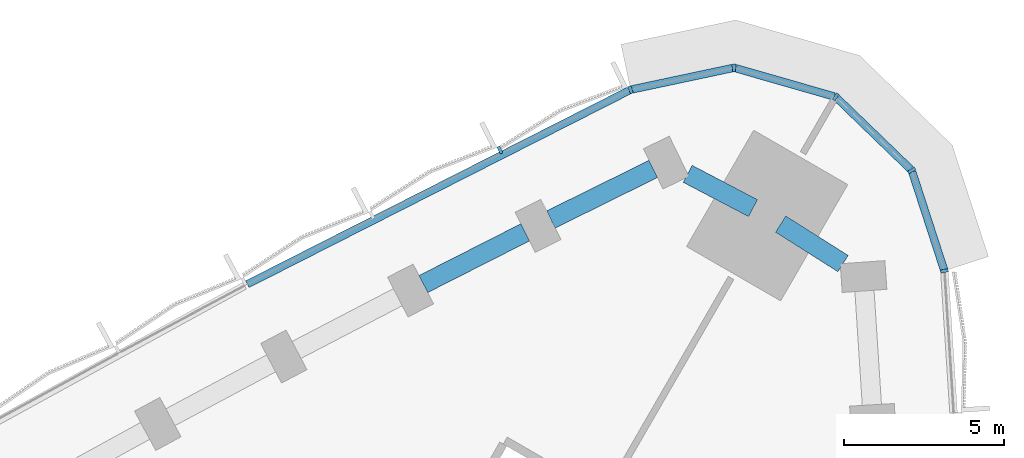
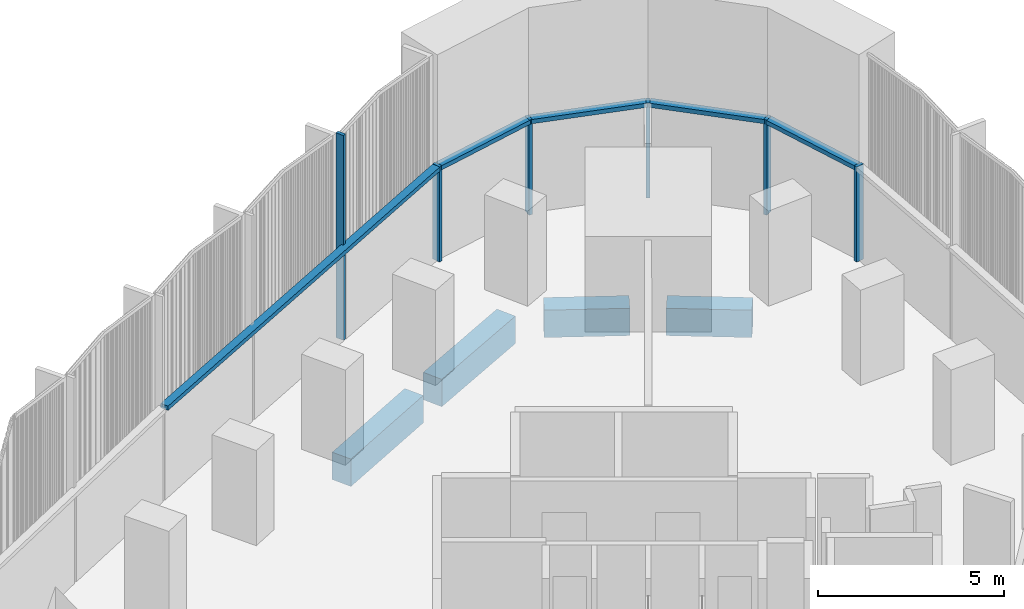
# One storey, part 7 of 16: 11 members, 4 beams, 2 elements without a shape of their own.
"""IFC4 building model written with IfcOpenShell, lengths in metres."""

from ifc_helpers import new_model, si_unit, direction, frame, origin, origin_2d, place, context, subcontext, project, spatial, rectangle, extrude, material, material_profile, profile_set, type_object, element, aggregate, save


model = new_model("IFC4")

# Units and contexts
model_context = context("Model", 3, precision=1e-05, world=origin(), true_north=direction((0.0, 1.0)))
body_context = subcontext(model_context, "Body", "Model", "MODEL_VIEW")
ifc_project = project(units=[si_unit("LENGTHUNIT", "METRE"), si_unit("AREAUNIT", "SQUARE_METRE"), si_unit("VOLUMEUNIT", "CUBIC_METRE"), si_unit("PLANEANGLEUNIT", "RADIAN"), si_unit("MASSUNIT", "GRAM", prefix="KILO")], contexts=[model_context])

# Site, building, storey
site_placement = place(None, origin())
site = spatial("IfcSite", under=ifc_project, at=site_placement, CompositionType="ELEMENT")
building_placement = place(site_placement, origin())
building = spatial("IfcBuilding", under=site, at=building_placement, Name="Tamra Quay Hotel Tower", CompositionType="ELEMENT")
storey_placement = place(building_placement, frame((0.0, 0.0, 45.800048828125)))
storey = spatial("IfcBuildingStorey", under=building, at=storey_placement, Name="L09", CompositionType="ELEMENT", Elevation=45.800048828125)

# Curtain wall, members
ifc_material_1 = material(Name="Aluminium 6063 anodised dark grey", Category="aluminium")
curtain_wall_type_1 = type_object("IfcCurtainWallType", Name="CW1 CURTAIN WALL", PredefinedType="NOTDEFINED", material=ifc_material_1)
curtain_wall_1_placement = place(storey_placement, origin())
curtain_wall_1 = element("IfcCurtainWall", 1, at=curtain_wall_1_placement, inside=storey, type_object=curtain_wall_type_1, Name="CW1 east face L09", PredefinedType="NOTDEFINED")
ifc_material_profile_1 = material_profile(ifc_material_1, rectangle(XDim=0.239990234375, YDim=0.10009765625, at=origin_2d()), Name="MULLION 100X240")
ifc_profile_set_1 = profile_set([ifc_material_profile_1], Name="Aluminium 6063 anodised dark grey")
member_type_1 = type_object("IfcMemberType", Name="MULLION CW1 Z1", PredefinedType="MULLION", material=ifc_profile_set_1)
member_1_placement = place(storey_placement, frame((23.40869140625, 29.2109375, 0.0), z_axis=(0.0, 0.0, 1.0), x_axis=(0.982094529733, 0.188388785943, 0.0)))
member_1 = element("IfcMember", 2, at=member_1_placement, type_object=member_type_1, Name="CW1 mullion L09.E.14", PredefinedType="MULLION", context=body_context, shape_type="SweptSolid", body=[
    extrude(rectangle(XDim=0.239990234375, YDim=0.10009765625, at=origin_2d()), origin(), (0.0, 0.0, 1.0), 3.125),
])
member_2_placement = place(storey_placement, frame((22.386474609375, 32.356201171875, 0.0), z_axis=(0.0, 0.0, 1.0), x_axis=(0.848039345356, 0.529933268183, 0.0)))
member_2 = element("IfcMember", 3, at=member_2_placement, type_object=member_type_1, Name="CW1 mullion L09.E.15", PredefinedType="MULLION", context=body_context, shape_type="SweptSolid", body=[
    extrude(rectangle(XDim=0.239990234375, YDim=0.10009765625, at=origin_2d()), origin(), (0.0, 0.0, 1.0), 3.125),
])
member_3_placement = place(storey_placement, frame((20.00732421875, 34.65380859375, 0.0), z_axis=(0.0, 0.0, 1.0), x_axis=(0.5, 0.866025403784, 0.0)))
member_3 = element("IfcMember", 4, at=member_3_placement, type_object=member_type_1, Name="CW1 mullion L09.E.16", PredefinedType="MULLION", context=body_context, shape_type="SweptSolid", body=[
    extrude(rectangle(XDim=0.239990234375, YDim=0.10009765625, at=origin_2d()), origin(), (0.0, 0.0, 1.0), 3.125),
])
member_4_placement = place(storey_placement, frame((16.828125, 35.5654296875, 0.0), z_axis=(0.0, 0.0, 1.0), x_axis=(0.034915999879, 0.999390250579, 0.0)))
member_4 = element("IfcMember", 5, at=member_4_placement, type_object=member_type_1, Name="CW1 mullion L09.E.17", PredefinedType="MULLION", context=body_context, shape_type="SweptSolid", body=[
    extrude(rectangle(XDim=0.239990234375, YDim=0.10009765625, at=origin_2d()), origin(), (0.0, 0.0, 1.0), 3.125),
])

curtain_wall_type_2 = type_object("IfcCurtainWallType", Name="CW2 CURTAIN WALL", PredefinedType="NOTDEFINED", material=ifc_material_1)
curtain_wall_2_placement = place(storey_placement, origin())
curtain_wall_2 = element("IfcCurtainWall", 6, at=curtain_wall_2_placement, inside=storey, type_object=curtain_wall_type_2, Name="CW2 north-west face L09", PredefinedType="NOTDEFINED")
ifc_material_profile_2 = material_profile(ifc_material_1, rectangle(XDim=0.239990234375, YDim=0.10009765625, at=origin_2d()), Name="MULLION 100X240")
ifc_profile_set_2 = profile_set([ifc_material_profile_2], Name="Aluminium 6063 anodised dark grey")
member_type_2 = type_object("IfcMemberType", Name="MULLION CW2 Z1", PredefinedType="MULLION", material=ifc_profile_set_2)
member_5_placement = place(storey_placement, frame((13.593017578125, 34.8779296875, 0.0), z_axis=(0.0, 0.0, 1.0), x_axis=(-0.327897790452, 0.944713204638, 0.0)))
member_5 = element("IfcMember", 7, at=member_5_placement, type_object=member_type_2, Name="CW2 mullion L09.NW.1", PredefinedType="MULLION", context=body_context, shape_type="SweptSolid", body=[
    extrude(rectangle(XDim=0.239990234375, YDim=0.10009765625, at=origin_2d()), origin(), (0.0, 0.0, 1.0), 3.125),
])
member_6_placement = place(storey_placement, frame((9.5078125, 32.994140625, 0.0), z_axis=(0.0, 0.0, 1.0), x_axis=(-0.447640760231, 0.894213481099, 0.0)))
member_6 = element("IfcMember", 8, at=member_6_placement, type_object=member_type_2, Name="CW2 mullion L09.NW.2", PredefinedType="MULLION", context=body_context, shape_type="SweptSolid", body=[
    extrude(rectangle(XDim=0.239990234375, YDim=0.10009765625, at=origin_2d()), origin(), (0.0, 0.0, 1.0), 6.724853515625),
])

# Beams
ifc_material_2 = material(Name="Concrete M60", Category="concrete")
ifc_material_profile_3 = material_profile(ifc_material_2, rectangle(XDim=0.60009765625, YDim=0.89990234375, at=origin_2d()), Name="SPANDREL BEAM RC 600x900")
ifc_profile_set_3 = profile_set([ifc_material_profile_3], Name="Concrete M60")
beam_type = type_object("IfcBeamType", Name="SPANDREL BEAM RC 600x900", PredefinedType="SPANDREL", material=ifc_profile_set_3)
beam_1_placement = place(storey_placement, frame((20.2373046875, 29.440185546875, -0.925048828125), z_axis=(-0.844978382684, 0.53480046073, 0.0), x_axis=(-0.53480046073, -0.844978382684, 0.0)))
element("IfcBeam", 9, at=beam_1_placement, inside=storey, type_object=beam_type, Name="BM-SP1-013-L09", PredefinedType="SPANDREL", context=body_context, shape_type="SweptSolid", body=[
    extrude(rectangle(XDim=0.60009765625, YDim=0.89990234375, at=origin_2d()), origin(), (0.0, 0.0, 1.0), 2.30859375),
])
beam_2_placement = place(storey_placement, frame((17.421630859375, 31.17431640625, -0.925048828125), z_axis=(-0.885674154565, 0.464307324879, 0.0), x_axis=(-0.464307324879, -0.885674154565, 0.0)))
element("IfcBeam", 10, at=beam_2_placement, inside=storey, type_object=beam_type, Name="BM-SP1-014-L09", PredefinedType="SPANDREL", context=body_context, shape_type="SweptSolid", body=[
    extrude(rectangle(XDim=0.60009765625, YDim=0.89990234375, at=origin_2d()), origin(), (0.0, 0.0, 1.0), 2.308349609375),
])
beam_3_placement = place(storey_placement, frame((14.301025390625, 32.3994140625, -0.925048828125), z_axis=(-0.896604328032, -0.442832563113, 0.0), x_axis=(0.442832563113, -0.896604328032, 0.0)))
element("IfcBeam", 11, at=beam_3_placement, inside=storey, type_object=beam_type, Name="BM-SP1-015-L09", PredefinedType="SPANDREL", context=body_context, shape_type="SweptSolid", body=[
    extrude(rectangle(XDim=0.60009765625, YDim=0.89990234375, at=origin_2d()), origin(), (0.0, 0.0, 1.0), 3.57080078125),
])
beam_4_placement = place(storey_placement, frame((10.294677734375, 30.415283203125, -0.925048828125), z_axis=(-0.891785652583, -0.452458119439, 0.0), x_axis=(0.452458119439, -0.891785652583, 0.0)))
element("IfcBeam", 12, at=beam_4_placement, inside=storey, type_object=beam_type, Name="BM-SP1-016-L09", PredefinedType="SPANDREL", context=body_context, shape_type="SweptSolid", body=[
    extrude(rectangle(XDim=0.60009765625, YDim=0.89990234375, at=origin_2d()), origin(), (0.0, 0.0, 1.0), 3.56982421875),
])

# Member
ifc_material_profile_4 = material_profile(ifc_material_1, rectangle(XDim=0.239990234375, YDim=0.139892578125, at=origin_2d()), Name="TRANSOM 240X140")
ifc_profile_set_4 = profile_set([ifc_material_profile_4], Name="Aluminium 6063 anodised dark grey")
member_type_3 = type_object("IfcMemberType", Name="TRANSOM CW1 Z1", PredefinedType="USERDEFINED", material=ifc_profile_set_4)
member_7_placement = place(storey_placement, frame((23.39306640625, 29.25830078125, 3.054931640625), z_axis=(-0.309025833938, 0.951053644102, 0.0), x_axis=(-0.951053644102, -0.309025833938, 0.0)))
member_7 = element("IfcMember", 13, at=member_7_placement, type_object=member_type_3, Name="CW1 transom L09.E.14", ObjectType="TRANSOM", PredefinedType="USERDEFINED", context=body_context, shape_type="SweptSolid", body=[
    extrude(rectangle(XDim=0.239990234375, YDim=0.139892578125, at=origin_2d()), origin(), (0.0, 0.0, 1.0), 3.20751953125),
])

member_8_placement = place(storey_placement, frame((22.3505859375, 32.39111328125, 3.054931640625), z_axis=(-0.719405395398, 0.694590438367, 0.0), x_axis=(-0.694590438367, -0.719405395398, 0.0)))
member_8 = element("IfcMember", 14, at=member_8_placement, type_object=member_type_3, Name="CW1 transom L09.E.15", ObjectType="TRANSOM", PredefinedType="USERDEFINED", context=body_context, shape_type="SweptSolid", body=[
    extrude(rectangle(XDim=0.239990234375, YDim=0.139892578125, at=origin_2d()), origin(), (0.0, 0.0, 1.0), 3.207275390625),
])

member_9_placement = place(storey_placement, frame((19.959228515625, 34.66748046875, 3.054931640625), z_axis=(-0.961262114071, 0.275635897612, 0.0), x_axis=(-0.275635897612, -0.961262114071, 0.0)))
member_9 = element("IfcMember", 15, at=member_9_placement, type_object=member_type_3, Name="CW1 transom L09.E.16", ObjectType="TRANSOM", PredefinedType="USERDEFINED", context=body_context, shape_type="SweptSolid", body=[
    extrude(rectangle(XDim=0.239990234375, YDim=0.139892578125, at=origin_2d()), origin(), (0.0, 0.0, 1.0), 3.207275390625),
])

member_10_placement = place(storey_placement, frame((16.779296875, 35.554931640625, 3.054931640625), z_axis=(-0.978156336052, -0.20787059013, 0.0), x_axis=(0.20787059013, -0.978156336052, 0.0)))
member_10 = element("IfcMember", 16, at=member_10_placement, type_object=member_type_3, Name="CW1 transom L09.E.17", ObjectType="TRANSOM", PredefinedType="USERDEFINED", context=body_context, shape_type="SweptSolid", body=[
    extrude(rectangle(XDim=0.239990234375, YDim=0.139892578125, at=origin_2d()), origin(), (0.0, 0.0, 1.0), 3.20751953125),
])

aggregate(curtain_wall_1, [member_1, member_7, member_2, member_8, member_3, member_9, member_4, member_10])

ifc_material_profile_5 = material_profile(ifc_material_1, rectangle(XDim=0.239990234375, YDim=0.139892578125, at=origin_2d()), Name="TRANSOM 240X140")
ifc_profile_set_5 = profile_set([ifc_material_profile_5], Name="Aluminium 6063 anodised dark grey")
member_type_4 = type_object("IfcMemberType", Name="TRANSOM CW2 Z1", PredefinedType="USERDEFINED", material=ifc_profile_set_5)
member_11_placement = place(storey_placement, frame((13.548095703125, 34.855712890625, 3.054931640625), z_axis=(-0.89178662734, -0.452456198208, 0.0), x_axis=(0.452456198208, -0.89178662734, 0.0)))
member_11 = element("IfcMember", 17, at=member_11_placement, type_object=member_type_4, Name="CW2 transom L09.NW.1", ObjectType="TRANSOM", PredefinedType="USERDEFINED", context=body_context, shape_type="SweptSolid", body=[
    extrude(rectangle(XDim=0.239990234375, YDim=0.139892578125, at=origin_2d()), origin(), (0.0, 0.0, 1.0), 13.39208984375),
])

aggregate(curtain_wall_2, [member_5, member_11, member_6])

save(model, "model.ifc")
